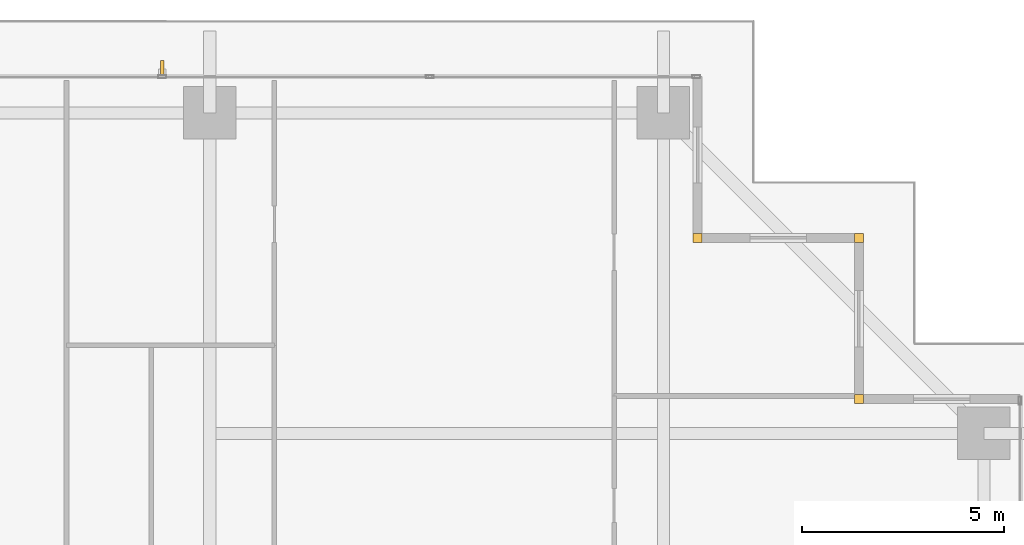
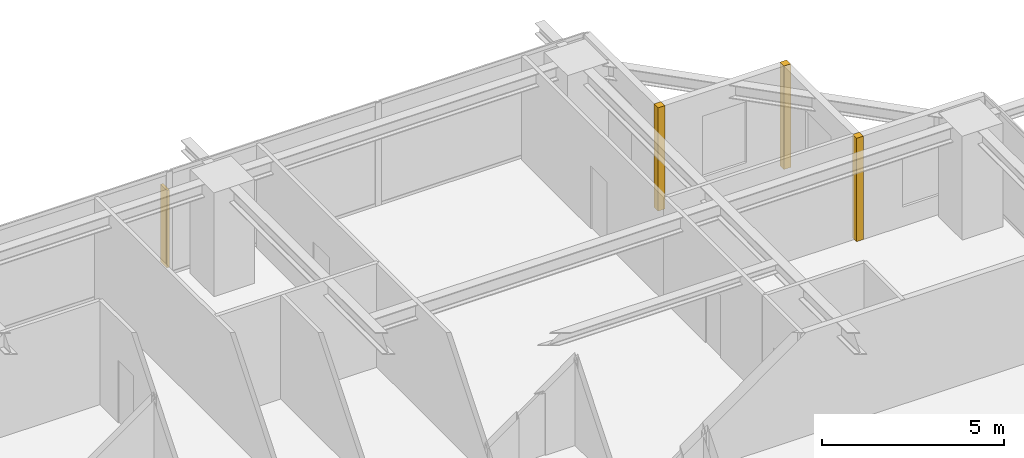
# One storey, part 35 of 35: 3 coverings, 1 shading device.
"""IFC4 building model written with IfcOpenShell, lengths in metres."""

import ifcopenshell
import ifcopenshell.guid

model = None  # the IFC model being written
_history = None  # IfcOwnerHistory: only IFC2X3 demands one
_inside = {}  # id of a spatial element -> (the spatial element, [elements in it])
_under = {}  # id of a project, library or spatial element -> (it, [spatial elements below it])
_declared = {}  # id of a project -> (the project, [libraries it declares])
_typed = {}  # id of a type object -> (the type object, [elements of that type])
_made_of = {}  # id of a material, layer set ... -> (it, [elements and type objects made of it])


def new_model(schema):
    """Start an empty IFC model of exactly this schema.

    Asked for "IFC4X3", IfcOpenShell would pick the latest addendum, in which some entities
    have other attributes; the version numbers below select the first issue.
    IFC2X3 requires an IfcOwnerHistory on every rooted entity: one is made here for all.
    """
    global model, _history
    if schema == "IFC4X3":
        model = ifcopenshell.file(schema_version=(4, 3, 0, 0))
    else:
        model = ifcopenshell.file(schema=schema)
    _inside.clear()
    _under.clear()
    _declared.clear()
    _typed.clear()
    _made_of.clear()
    _history = None
    if model.schema == "IFC2X3":
        org = make("IfcOrganization", Name="unknown")
        user = make(
            "IfcPersonAndOrganization",
            ThePerson=make("IfcPerson", FamilyName="unknown"),
            TheOrganization=org,
        )
        app = make(
            "IfcApplication",
            ApplicationDeveloper=org,
            Version="unknown",
            ApplicationFullName="unknown",
            ApplicationIdentifier="unknown",
        )
        _history = make(
            "IfcOwnerHistory",
            OwningUser=user,
            OwningApplication=app,
            ChangeAction="ADDED",
            CreationDate=0,
        )
    return model


def make(cls, **values):
    """One entity of the class cls with the attributes given. An attribute that is None is left unset."""
    return model.create_entity(
        cls, **{name: value for name, value in values.items() if value is not None}
    )


def rooted(cls, **values):
    """An entity with a GlobalId (a new one), such as an element, a storey or a relation."""
    return make(cls, GlobalId=ifcopenshell.guid.new(), OwnerHistory=_history, **values)


def si_unit(unit_type, name, prefix=None):
    """IfcSIUnit, for example si_unit("LENGTHUNIT", "METRE", prefix="MILLI")."""
    return make("IfcSIUnit", UnitType=unit_type, Prefix=prefix, Name=name)


def assignment(units):
    """IfcUnitAssignment: the units of a project."""
    return None if units is None else make("IfcUnitAssignment", Units=units)


def point(xyz):
    """IfcCartesianPoint."""
    return None if xyz is None else make("IfcCartesianPoint", Coordinates=xyz)


def direction(xyz):
    """IfcDirection."""
    return None if xyz is None else make("IfcDirection", DirectionRatios=xyz)


def frame(location, z_axis=None, x_axis=None):
    """IfcAxis2Placement3D, a coordinate frame: its origin and axes. An axis left out is left unset."""
    return make(
        "IfcAxis2Placement3D",
        Location=point(location),
        Axis=direction(z_axis),
        RefDirection=direction(x_axis),
    )


def frame_2d(location, x_axis=None):
    """IfcAxis2Placement2D, a coordinate frame in the plane: its origin and x axis."""
    return make(
        "IfcAxis2Placement2D", Location=point(location), RefDirection=direction(x_axis)
    )


def origin():
    """The frame at (0, 0, 0) with its axes left unset."""
    return frame((0.0, 0.0, 0.0))


def origin_2d():
    """The frame at (0, 0) in the plane with its x axis left unset."""
    return frame_2d((0.0, 0.0))


def place(relative_to, where):
    """IfcLocalPlacement: puts the frame where relative to a parent placement (None: the world)."""
    return make(
        "IfcLocalPlacement", PlacementRelTo=relative_to, RelativePlacement=where
    )


def context(
    kind, dimensions, precision=None, world=None, true_north=None, identifier=None
):
    """IfcGeometricRepresentationContext, for example the 3D "Model" context."""
    return make(
        "IfcGeometricRepresentationContext",
        ContextIdentifier=identifier,
        ContextType=kind,
        CoordinateSpaceDimension=dimensions,
        Precision=precision,
        WorldCoordinateSystem=world,
        TrueNorth=true_north,
    )


def subcontext(parent, identifier, kind, view, scale=None):
    """IfcGeometricRepresentationSubContext, for example "Body" below "Model"."""
    return make(
        "IfcGeometricRepresentationSubContext",
        ContextIdentifier=identifier,
        ContextType=kind,
        ParentContext=parent,
        TargetScale=scale,
        TargetView=view,
    )


def project(units=None, contexts=None):
    """IfcProject with its units and contexts."""
    return rooted(
        "IfcProject",
        Name="project",
        RepresentationContexts=contexts,
        UnitsInContext=assignment(units),
    )


def spatial(cls, under=None, at=None, **own):
    """A site, building, storey or space (cls), placed at a placement, below another one or the project."""
    s = rooted(cls, ObjectPlacement=at, **own)
    if under is not None:
        _under.setdefault(under.id(), (under, []))[1].append(s)
    return s


def profile(cls, at=None, kind="AREA", **sizes):
    """A parametric profile (cls). Its sizes go by their IFC names, for example OverallWidth=200.0."""
    return make(cls, ProfileType=kind, Position=at, **sizes)


def rectangle(**sizes):
    """IfcRectangleProfileDef."""
    return profile("IfcRectangleProfileDef", **sizes)


def extrude(swept, where, along, depth):
    """IfcExtrudedAreaSolid: the profile swept, set in the frame where, extruded along a direction by depth."""
    return make(
        "IfcExtrudedAreaSolid",
        SweptArea=swept,
        Position=where,
        ExtrudedDirection=direction(along),
        Depth=depth,
    )


def shape(context_of_items, identifier, shape_type, items):
    """IfcShapeRepresentation: the items that make up one representation, for example the "Body"."""
    return make(
        "IfcShapeRepresentation",
        ContextOfItems=context_of_items,
        RepresentationIdentifier=identifier,
        RepresentationType=shape_type,
        Items=items,
    )


def source(mapping_origin, context_of_items, identifier, shape_type, items):
    """IfcRepresentationMap: a shape defined once, which mapped items show again and again."""
    return make(
        "IfcRepresentationMap",
        MappingOrigin=mapping_origin,
        MappedRepresentation=shape(context_of_items, identifier, shape_type, items),
    )


def transform(
    local_origin,
    x_axis=None,
    y_axis=None,
    z_axis=None,
    scale=None,
    scale2=None,
    scale3=None,
    uniform=True,
):
    """IfcCartesianTransformationOperator3D, or its non-uniform kind. x_axis, y_axis, z_axis: its Axis1, 2, 3."""
    if uniform:
        return make(
            "IfcCartesianTransformationOperator3D",
            Axis1=direction(x_axis),
            Axis2=direction(y_axis),
            LocalOrigin=point(local_origin),
            Scale=scale,
            Axis3=direction(z_axis),
        )
    return make(
        "IfcCartesianTransformationOperator3DnonUniform",
        Axis1=direction(x_axis),
        Axis2=direction(y_axis),
        LocalOrigin=point(local_origin),
        Scale=scale,
        Axis3=direction(z_axis),
        Scale2=scale2,
        Scale3=scale3,
    )


def mapped(mapping_source, mapping_target):
    """IfcMappedItem: shows the shape of a source again, moved by a transform."""
    return make(
        "IfcMappedItem", MappingSource=mapping_source, MappingTarget=mapping_target
    )


def material(Name=None, Category=None):
    """IfcMaterial."""
    return make("IfcMaterial", Name=Name, Category=Category)


def layer(
    of_material, thickness, ventilated=None, Name=None, Category=None, Priority=None
):
    """IfcMaterialLayer: one layer of a wall or slab, of a material (None: an air gap)."""
    return make(
        "IfcMaterialLayer",
        Material=of_material,
        LayerThickness=thickness,
        IsVentilated=ventilated,
        Name=Name,
        Category=Category,
        Priority=Priority,
    )


def layer_set(layers, Name=None):
    """IfcMaterialLayerSet."""
    return make("IfcMaterialLayerSet", MaterialLayers=layers, LayerSetName=Name)


def made_of(thing, what):
    """Note that an element or type object is made of a material, layer set ...; save() writes the relation."""
    if what is not None:
        _made_of.setdefault(what.id(), (what, []))[1].append(thing)
    return thing


def type_object(cls, material=None, **own):
    """A type object (cls), such as IfcWallType, which elements share."""
    return made_of(rooted(cls, **own), material)


def element(
    cls,
    number,
    at=None,
    inside=None,
    cuts=None,
    type_object=None,
    material=None,
    context=None,
    identifier="Body",
    shape_type=None,
    held_by="IfcProductDefinitionShape",
    body=None,
    shapes=None,
    **own,
):
    """One element of the class cls, such as IfcWall. Its Tag is "e" and its number.

    at: its placement. inside: the storey or other place that contains it. cuts: it is an
    opening in that element (IfcRelVoidsElement). A single representation is given by context,
    identifier, shape_type and body (its items); several are given by shapes. held_by: the class
    of the entity that holds the representations. save() writes the other relations.
    """
    e = rooted(cls, Tag="e%d" % number, ObjectPlacement=at, **own)
    if body is not None:
        shapes = [shape(context, identifier, shape_type, body)]
    if shapes is not None:
        e.Representation = make(held_by, Representations=shapes)
    if inside is not None:
        _inside.setdefault(inside.id(), (inside, []))[1].append(e)
    if cuts is not None:
        rooted(
            "IfcRelVoidsElement", RelatingBuildingElement=cuts, RelatedOpeningElement=e
        )
    if type_object is not None:
        _typed.setdefault(type_object.id(), (type_object, []))[1].append(e)
    return made_of(e, material)


def aggregate(whole, parts):
    """IfcRelAggregates: a whole, such as a stair, and the parts it consists of."""
    return rooted("IfcRelAggregates", RelatingObject=whole, RelatedObjects=parts)


def save(model, path):
    """Write the relations noted so far, then the file.

    IfcRelAggregates (storeys below a building ...), IfcRelContainedInSpatialStructure (elements
    in a storey), IfcRelDefinesByType, IfcRelAssociatesMaterial and IfcRelDeclares: one each for
    every whole, place, type object, material and project.
    """
    for whole, parts in _under.values():
        aggregate(whole, parts)
    for where, things in _inside.values():
        rooted(
            "IfcRelContainedInSpatialStructure",
            RelatedElements=things,
            RelatingStructure=where,
        )
    for kind, things in _typed.values():
        rooted("IfcRelDefinesByType", RelatedObjects=things, RelatingType=kind)
    for what, things in _made_of.values():
        rooted("IfcRelAssociatesMaterial", RelatedObjects=things, RelatingMaterial=what)
    for by, libraries in _declared.values():
        rooted("IfcRelDeclares", RelatingContext=by, RelatedDefinitions=libraries)
    model.write(path)


model = new_model("IFC4")

# Units and contexts
model_context = context("Model", 3, precision=1e-05, world=origin(), true_north=direction((0.0, 1.0)))
body_context = subcontext(model_context, "Body", "Model", "MODEL_VIEW")
ifc_project = project(units=[si_unit("LENGTHUNIT", "METRE"), si_unit("AREAUNIT", "SQUARE_METRE"), si_unit("VOLUMEUNIT", "CUBIC_METRE"), si_unit("PLANEANGLEUNIT", "RADIAN"), si_unit("MASSUNIT", "GRAM", prefix="KILO")], contexts=[model_context])

# Site, building, storey
site_placement = place(None, origin())
site = spatial("IfcSite", under=ifc_project, at=site_placement, CompositionType="ELEMENT")
building_placement = place(site_placement, origin())
building = spatial("IfcBuilding", under=site, at=building_placement, Name="Serunith Strait Residences", CompositionType="ELEMENT")
storey_placement = place(building_placement, frame((0.0, 0.0, 157.64990234375)))
storey = spatial("IfcBuildingStorey", under=building, at=storey_placement, Name="L39", CompositionType="ELEMENT", Elevation=157.64990234375)

# Coverings
ifc_material_1 = material(Name="Pale-Champagne Anodised Aluminium", Category="aluminium")
ifc_layer = layer(ifc_material_1, 0.219970703125, Name="Pale-Champagne Anodised Aluminium")
ifc_layer_set = layer_set([ifc_layer], Name="Pale-Champagne Anodised Aluminium")
covering_type = type_object("IfcCoveringType", Name="COV-CORN-TRIM", PredefinedType="CLADDING", material=ifc_layer_set)
shared_shape_1 = source(origin(), body_context, "Body", "SweptSolid", [
    extrude(rectangle(XDim=0.221923828125, YDim=0.221923828125, at=origin_2d()), origin(), (0.0, 0.0, 1.0), 3.47509765625),
])
for number, where, z_axis, x_axis, name in (
    (1, (53.0, 41.0, 0.0), (0.0, 0.0, 1.0), (1.0, 0.0, 0.0), "L39 Girih Serrated Corner Trim Post 07"),
    (2, (53.0, 45.0, 0.0), (0.0, 0.0, 1.0), (1.0, 0.0, 0.0), "L39 Girih Serrated Corner Trim Post 08"),
    (3, (49.0, 45.0, 0.0), (0.0, 0.0, 1.0), (1.0, 0.0, 0.0), "L39 Girih Serrated Corner Trim Post 09"),
):
    element("IfcCovering", number, at=place(storey_placement, frame(where, z_axis=z_axis, x_axis=x_axis)), inside=storey, type_object=covering_type, Name=name, PredefinedType="CLADDING", context=body_context, shape_type="MappedRepresentation", body=[
        mapped(shared_shape_1, transform((0.0, 0.0, 0.0), scale=1.0)),
    ])

# Shading device
ifc_material_2 = material(Name="Pale-Champagne Perforated Aluminium Fin", Category="aluminium")
shading_device_type = type_object("IfcShadingDeviceType", Name="SHD-DIAG-FIN", PredefinedType="AWNING", material=ifc_material_2)
shared_shape_2 = source(origin(), body_context, "Body", "SweptSolid", [
    extrude(rectangle(XDim=0.080078125, YDim=0.35009765625, at=origin_2d()), origin(), (0.0, 0.0, 1.0), 2.60009765625),
])
shading_device_placement = place(storey_placement, frame((35.719970703125, 49.219970703125, 0.199951171875), z_axis=(0.0, 0.0, 1.0), x_axis=(1.0, 0.0, 0.0)))
element("IfcShadingDevice", 4, at=shading_device_placement, inside=storey, type_object=shading_device_type, Name="L39 Diagonal Rhythm Solar Fin N", PredefinedType="AWNING", context=body_context, shape_type="MappedRepresentation", body=[
    mapped(shared_shape_2, transform((0.0, 0.0, 0.0), scale=1.0)),
])

save(model, "model.ifc")
